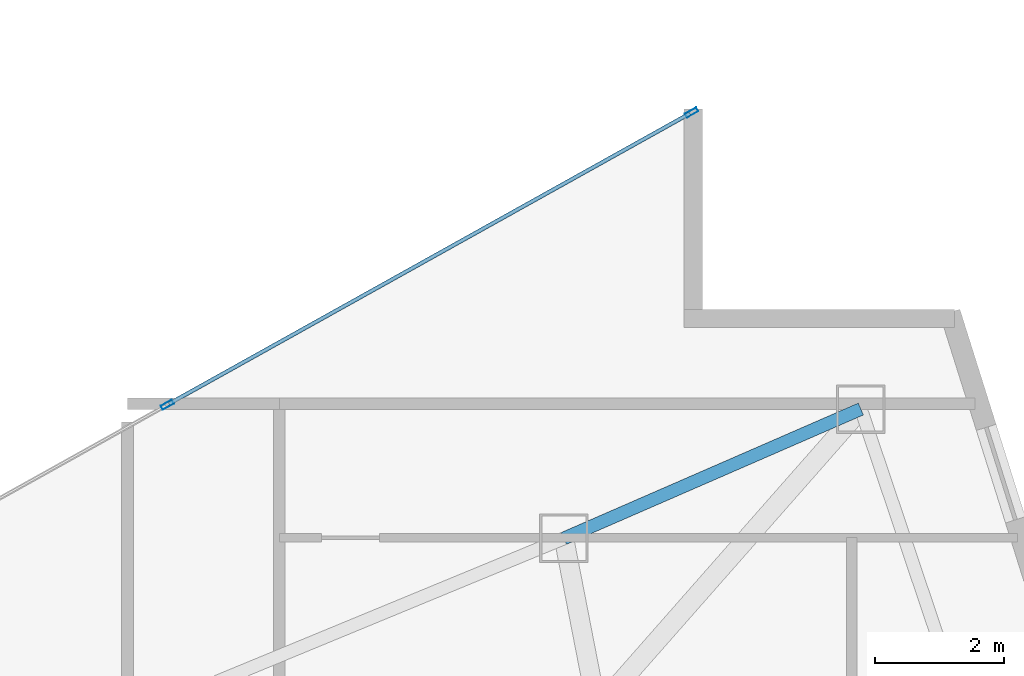
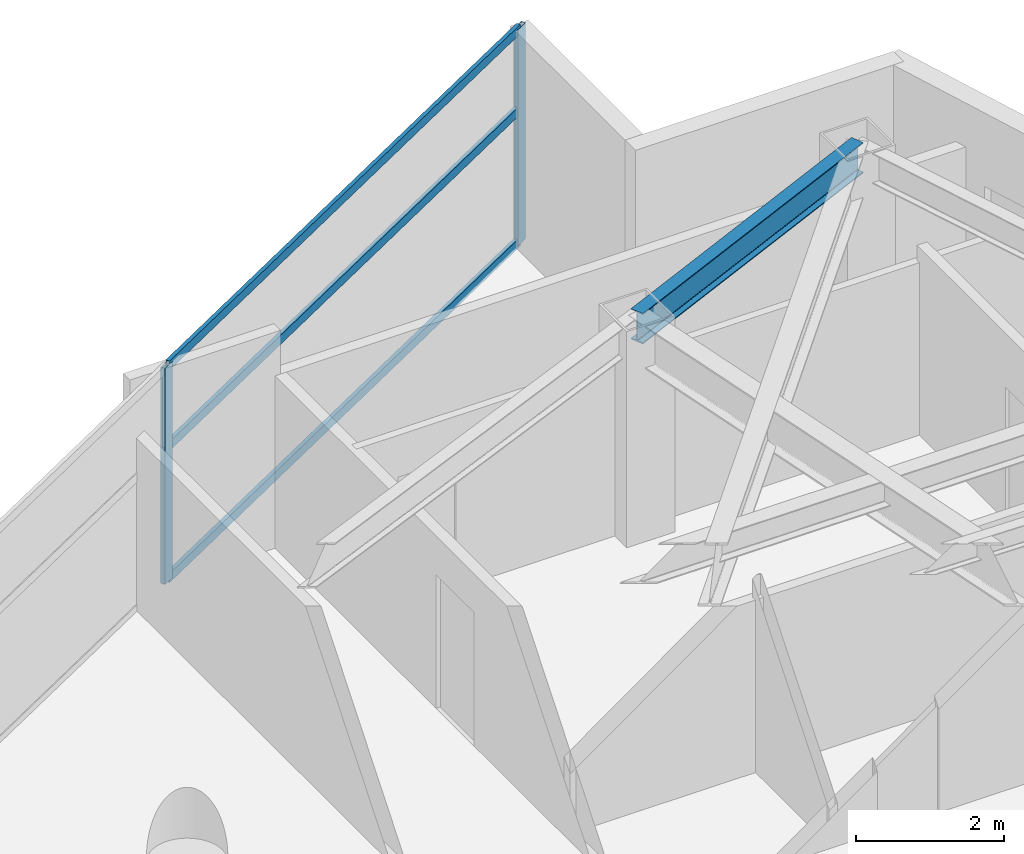
# One storey, part 20 of 28: 5 members, 1 beam, 1 element without a shape of its own.
"""IFC4 building model written with IfcOpenShell, lengths in metres."""

import ifcopenshell
import ifcopenshell.guid

model = None  # the IFC model being written
_history = None  # IfcOwnerHistory: only IFC2X3 demands one
_inside = {}  # id of a spatial element -> (the spatial element, [elements in it])
_under = {}  # id of a project, library or spatial element -> (it, [spatial elements below it])
_declared = {}  # id of a project -> (the project, [libraries it declares])
_typed = {}  # id of a type object -> (the type object, [elements of that type])
_made_of = {}  # id of a material, layer set ... -> (it, [elements and type objects made of it])


def new_model(schema):
    """Start an empty IFC model of exactly this schema.

    Asked for "IFC4X3", IfcOpenShell would pick the latest addendum, in which some entities
    have other attributes; the version numbers below select the first issue.
    IFC2X3 requires an IfcOwnerHistory on every rooted entity: one is made here for all.
    """
    global model, _history
    if schema == "IFC4X3":
        model = ifcopenshell.file(schema_version=(4, 3, 0, 0))
    else:
        model = ifcopenshell.file(schema=schema)
    _inside.clear()
    _under.clear()
    _declared.clear()
    _typed.clear()
    _made_of.clear()
    _history = None
    if model.schema == "IFC2X3":
        org = make("IfcOrganization", Name="unknown")
        user = make(
            "IfcPersonAndOrganization",
            ThePerson=make("IfcPerson", FamilyName="unknown"),
            TheOrganization=org,
        )
        app = make(
            "IfcApplication",
            ApplicationDeveloper=org,
            Version="unknown",
            ApplicationFullName="unknown",
            ApplicationIdentifier="unknown",
        )
        _history = make(
            "IfcOwnerHistory",
            OwningUser=user,
            OwningApplication=app,
            ChangeAction="ADDED",
            CreationDate=0,
        )
    return model


def make(cls, **values):
    """One entity of the class cls with the attributes given. An attribute that is None is left unset."""
    return model.create_entity(
        cls, **{name: value for name, value in values.items() if value is not None}
    )


def rooted(cls, **values):
    """An entity with a GlobalId (a new one), such as an element, a storey or a relation."""
    return make(cls, GlobalId=ifcopenshell.guid.new(), OwnerHistory=_history, **values)


def si_unit(unit_type, name, prefix=None):
    """IfcSIUnit, for example si_unit("LENGTHUNIT", "METRE", prefix="MILLI")."""
    return make("IfcSIUnit", UnitType=unit_type, Prefix=prefix, Name=name)


def assignment(units):
    """IfcUnitAssignment: the units of a project."""
    return None if units is None else make("IfcUnitAssignment", Units=units)


def point(xyz):
    """IfcCartesianPoint."""
    return None if xyz is None else make("IfcCartesianPoint", Coordinates=xyz)


def direction(xyz):
    """IfcDirection."""
    return None if xyz is None else make("IfcDirection", DirectionRatios=xyz)


def frame(location, z_axis=None, x_axis=None):
    """IfcAxis2Placement3D, a coordinate frame: its origin and axes. An axis left out is left unset."""
    return make(
        "IfcAxis2Placement3D",
        Location=point(location),
        Axis=direction(z_axis),
        RefDirection=direction(x_axis),
    )


def frame_2d(location, x_axis=None):
    """IfcAxis2Placement2D, a coordinate frame in the plane: its origin and x axis."""
    return make(
        "IfcAxis2Placement2D", Location=point(location), RefDirection=direction(x_axis)
    )


def origin():
    """The frame at (0, 0, 0) with its axes left unset."""
    return frame((0.0, 0.0, 0.0))


def origin_2d():
    """The frame at (0, 0) in the plane with its x axis left unset."""
    return frame_2d((0.0, 0.0))


def place(relative_to, where):
    """IfcLocalPlacement: puts the frame where relative to a parent placement (None: the world)."""
    return make(
        "IfcLocalPlacement", PlacementRelTo=relative_to, RelativePlacement=where
    )


def context(
    kind, dimensions, precision=None, world=None, true_north=None, identifier=None
):
    """IfcGeometricRepresentationContext, for example the 3D "Model" context."""
    return make(
        "IfcGeometricRepresentationContext",
        ContextIdentifier=identifier,
        ContextType=kind,
        CoordinateSpaceDimension=dimensions,
        Precision=precision,
        WorldCoordinateSystem=world,
        TrueNorth=true_north,
    )


def subcontext(parent, identifier, kind, view, scale=None):
    """IfcGeometricRepresentationSubContext, for example "Body" below "Model"."""
    return make(
        "IfcGeometricRepresentationSubContext",
        ContextIdentifier=identifier,
        ContextType=kind,
        ParentContext=parent,
        TargetScale=scale,
        TargetView=view,
    )


def project(units=None, contexts=None):
    """IfcProject with its units and contexts."""
    return rooted(
        "IfcProject",
        Name="project",
        RepresentationContexts=contexts,
        UnitsInContext=assignment(units),
    )


def spatial(cls, under=None, at=None, **own):
    """A site, building, storey or space (cls), placed at a placement, below another one or the project."""
    s = rooted(cls, ObjectPlacement=at, **own)
    if under is not None:
        _under.setdefault(under.id(), (under, []))[1].append(s)
    return s


def profile(cls, at=None, kind="AREA", **sizes):
    """A parametric profile (cls). Its sizes go by their IFC names, for example OverallWidth=200.0."""
    return make(cls, ProfileType=kind, Position=at, **sizes)


def hollow_rectangle(**sizes):
    """IfcRectangleHollowProfileDef."""
    return profile("IfcRectangleHollowProfileDef", **sizes)


def i_section(**sizes):
    """IfcIShapeProfileDef."""
    return profile("IfcIShapeProfileDef", **sizes)


def extrude(swept, where, along, depth):
    """IfcExtrudedAreaSolid: the profile swept, set in the frame where, extruded along a direction by depth."""
    return make(
        "IfcExtrudedAreaSolid",
        SweptArea=swept,
        Position=where,
        ExtrudedDirection=direction(along),
        Depth=depth,
    )


def shape(context_of_items, identifier, shape_type, items):
    """IfcShapeRepresentation: the items that make up one representation, for example the "Body"."""
    return make(
        "IfcShapeRepresentation",
        ContextOfItems=context_of_items,
        RepresentationIdentifier=identifier,
        RepresentationType=shape_type,
        Items=items,
    )


def material(Name=None, Category=None):
    """IfcMaterial."""
    return make("IfcMaterial", Name=Name, Category=Category)


def layer(
    of_material, thickness, ventilated=None, Name=None, Category=None, Priority=None
):
    """IfcMaterialLayer: one layer of a wall or slab, of a material (None: an air gap)."""
    return make(
        "IfcMaterialLayer",
        Material=of_material,
        LayerThickness=thickness,
        IsVentilated=ventilated,
        Name=Name,
        Category=Category,
        Priority=Priority,
    )


def layer_set(layers, Name=None):
    """IfcMaterialLayerSet."""
    return make("IfcMaterialLayerSet", MaterialLayers=layers, LayerSetName=Name)


def material_profile(
    of_material, cross_section, Name=None, Category=None, Priority=None
):
    """IfcMaterialProfile: a cross section and its material."""
    return make(
        "IfcMaterialProfile",
        Name=Name,
        Material=of_material,
        Profile=cross_section,
        Priority=Priority,
        Category=Category,
    )


def profile_set(profiles, Name=None, composite=None):
    """IfcMaterialProfileSet."""
    return make(
        "IfcMaterialProfileSet",
        Name=Name,
        MaterialProfiles=profiles,
        CompositeProfile=composite,
    )


def made_of(thing, what):
    """Note that an element or type object is made of a material, layer set ...; save() writes the relation."""
    if what is not None:
        _made_of.setdefault(what.id(), (what, []))[1].append(thing)
    return thing


def type_object(cls, material=None, **own):
    """A type object (cls), such as IfcWallType, which elements share."""
    return made_of(rooted(cls, **own), material)


def element(
    cls,
    number,
    at=None,
    inside=None,
    cuts=None,
    type_object=None,
    material=None,
    context=None,
    identifier="Body",
    shape_type=None,
    held_by="IfcProductDefinitionShape",
    body=None,
    shapes=None,
    **own,
):
    """One element of the class cls, such as IfcWall. Its Tag is "e" and its number.

    at: its placement. inside: the storey or other place that contains it. cuts: it is an
    opening in that element (IfcRelVoidsElement). A single representation is given by context,
    identifier, shape_type and body (its items); several are given by shapes. held_by: the class
    of the entity that holds the representations. save() writes the other relations.
    """
    e = rooted(cls, Tag="e%d" % number, ObjectPlacement=at, **own)
    if body is not None:
        shapes = [shape(context, identifier, shape_type, body)]
    if shapes is not None:
        e.Representation = make(held_by, Representations=shapes)
    if inside is not None:
        _inside.setdefault(inside.id(), (inside, []))[1].append(e)
    if cuts is not None:
        rooted(
            "IfcRelVoidsElement", RelatingBuildingElement=cuts, RelatedOpeningElement=e
        )
    if type_object is not None:
        _typed.setdefault(type_object.id(), (type_object, []))[1].append(e)
    return made_of(e, material)


def aggregate(whole, parts):
    """IfcRelAggregates: a whole, such as a stair, and the parts it consists of."""
    return rooted("IfcRelAggregates", RelatingObject=whole, RelatedObjects=parts)


def save(model, path):
    """Write the relations noted so far, then the file.

    IfcRelAggregates (storeys below a building ...), IfcRelContainedInSpatialStructure (elements
    in a storey), IfcRelDefinesByType, IfcRelAssociatesMaterial and IfcRelDeclares: one each for
    every whole, place, type object, material and project.
    """
    for whole, parts in _under.values():
        aggregate(whole, parts)
    for where, things in _inside.values():
        rooted(
            "IfcRelContainedInSpatialStructure",
            RelatedElements=things,
            RelatingStructure=where,
        )
    for kind, things in _typed.values():
        rooted("IfcRelDefinesByType", RelatedObjects=things, RelatingType=kind)
    for what, things in _made_of.values():
        rooted("IfcRelAssociatesMaterial", RelatedObjects=things, RelatingMaterial=what)
    for by, libraries in _declared.values():
        rooted("IfcRelDeclares", RelatingContext=by, RelatedDefinitions=libraries)
    model.write(path)


model = new_model("IFC4")

# Units and contexts
model_context = context("Model", 3, precision=1e-05, world=origin(), true_north=direction((0.0, 1.0)))
body_context = subcontext(model_context, "Body", "Model", "MODEL_VIEW")
ifc_project = project(units=[si_unit("LENGTHUNIT", "METRE"), si_unit("AREAUNIT", "SQUARE_METRE"), si_unit("VOLUMEUNIT", "CUBIC_METRE"), si_unit("PLANEANGLEUNIT", "RADIAN"), si_unit("MASSUNIT", "GRAM", prefix="KILO")], contexts=[model_context])

# Site, building, storey
site_placement = place(None, origin())
site = spatial("IfcSite", under=ifc_project, at=site_placement, CompositionType="ELEMENT")
building_placement = place(site_placement, origin())
building = spatial("IfcBuilding", under=site, at=building_placement, Name="Calvorn Quay Hotel", CompositionType="ELEMENT")
storey_placement = place(building_placement, frame((0.0, 0.0, 112.60009765625)))
storey = spatial("IfcBuildingStorey", under=building, at=storey_placement, Name="L27", CompositionType="ELEMENT", Elevation=112.60009765625)

# Beam
ifc_material_1 = material(Name="Steel Q355B", Category="steel")
ifc_material_profile_1 = material_profile(ifc_material_1, i_section(OverallWidth=0.199951171875, OverallDepth=0.5, WebThickness=0.010009765625, FlangeThickness=0.01611328125, FilletRadius=0.01611328125, at=origin_2d()), Name="HN500x200x10x16")
ifc_profile_set_1 = profile_set([ifc_material_profile_1], Name="Steel Q355B")
beam_type = type_object("IfcBeamType", Name="BM-SPANDREL-Z1", PredefinedType="SPANDREL", material=ifc_profile_set_1)
beam_placement = place(storey_placement, frame((48.591064453125, 33.39990234375, 3.289794921875), z_axis=(-0.916786146489, -0.399378469132, 0.0), x_axis=(0.399378469132, -0.916786146489, 0.0)))
element("IfcBeam", 1, at=beam_placement, inside=storey, type_object=beam_type, Name="Beam BSP-L27-E3", PredefinedType="SPANDREL", context=body_context, shape_type="SweptSolid", body=[
    extrude(i_section(OverallWidth=0.199951171875, OverallDepth=0.5, WebThickness=0.010009765625, FlangeThickness=0.01611328125, FilletRadius=0.01611328125, at=origin_2d()), origin(), (0.0, 0.0, 1.0), 5.0078125),
])

# Curtain wall, members
ifc_material_2 = material(Name="Pale Anodised Aluminium and Low-E Glass", Category="aluminium")
ifc_layer = layer(ifc_material_2, 0.219970703125)
ifc_layer_set = layer_set([ifc_layer], Name="CW-SYS-Z2")
curtain_wall_type = type_object("IfcCurtainWallType", Name="CW-SYS-Z2", PredefinedType="NOTDEFINED", material=ifc_layer_set)
curtain_wall_placement = place(storey_placement, origin())
curtain_wall = element("IfcCurtainWall", 2, at=curtain_wall_placement, inside=storey, type_object=curtain_wall_type, Name="Inner Court Curtain Wall L27-NE1", PredefinedType="NOTDEFINED")
ifc_material_3 = material(Name="Pale Anodised Aluminium 6063-T6", Category="aluminium")
ifc_material_profile_2 = material_profile(ifc_material_3, hollow_rectangle(XDim=0.070068359375, YDim=0.199951171875, WallThickness=0.00390625, at=origin_2d()), Name="ALU-M200x70x4")
ifc_profile_set_2 = profile_set([ifc_material_profile_2], Name="Pale Anodised Aluminium 6063-T6")
member_type_1 = type_object("IfcMemberType", Name="CW-SYS-Z2-MUL", PredefinedType="MULLION", material=ifc_profile_set_2)
member_1_placement = place(storey_placement, frame((45.973876953125, 37.9853515625, 0.0), z_axis=(0.0, 0.0, 1.0), x_axis=(0.486858256224, -0.873480989116, 0.0)))
member_1 = element("IfcMember", 3, at=member_1_placement, type_object=member_type_1, Name="CW-L27-NE1 mullion 1", PredefinedType="MULLION", context=body_context, shape_type="SweptSolid", body=[
    extrude(hollow_rectangle(XDim=0.070068359375, YDim=0.199951171875, WallThickness=0.00390625, at=origin_2d()), origin(), (0.0, 0.0, 1.0), 3.559814453125),
])
member_2_placement = place(storey_placement, frame((37.86669921875, 33.466552734375, 0.0), z_axis=(0.0, 0.0, 1.0), x_axis=(0.486858256224, -0.873480989116, 0.0)))
member_2 = element("IfcMember", 4, at=member_2_placement, type_object=member_type_1, Name="CW-L27-NE1 mullion 2", PredefinedType="MULLION", context=body_context, shape_type="SweptSolid", body=[
    extrude(hollow_rectangle(XDim=0.070068359375, YDim=0.199951171875, WallThickness=0.00390625, at=origin_2d()), origin(), (0.0, 0.0, 1.0), 3.559814453125),
])
ifc_material_4 = material(Name="Pale Anodised Aluminium 6063-T6", Category="aluminium")
ifc_material_profile_3 = material_profile(ifc_material_4, hollow_rectangle(XDim=0.06005859375, YDim=0.14990234375, WallThickness=0.00341796875, at=origin_2d()), Name="ALU-T150x60x3.5")
ifc_profile_set_3 = profile_set([ifc_material_profile_3], Name="Pale Anodised Aluminium 6063-T6")
member_type_2 = type_object("IfcMemberType", Name="CW-SYS-Z2-TRN", PredefinedType="USERDEFINED", material=ifc_profile_set_3)
member_3_placement = place(storey_placement, frame((45.947509765625, 37.970703125, 0.02978515625), z_axis=(-0.87348080454, -0.486858587375, 0.0), x_axis=(0.486858587375, -0.87348080454, 0.0)))
member_3 = element("IfcMember", 5, at=member_3_placement, type_object=member_type_2, Name="CW-L27-NE1 transom 1.1", ObjectType="TRANSOM", PredefinedType="USERDEFINED", context=body_context, shape_type="SweptSolid", body=[
    extrude(hollow_rectangle(XDim=0.06005859375, YDim=0.14990234375, WallThickness=0.00341796875, at=origin_2d()), origin(), (0.0, 0.0, 1.0), 9.221435546875),
])
member_4_placement = place(storey_placement, frame((45.947509765625, 37.970703125, 2.199951171875), z_axis=(-0.87348080454, -0.486858587375, 0.0), x_axis=(0.486858587375, -0.87348080454, 0.0)))
member_4 = element("IfcMember", 6, at=member_4_placement, type_object=member_type_2, Name="CW-L27-NE1 transom 1.2", ObjectType="TRANSOM", PredefinedType="USERDEFINED", context=body_context, shape_type="SweptSolid", body=[
    extrude(hollow_rectangle(XDim=0.06005859375, YDim=0.14990234375, WallThickness=0.00341796875, at=origin_2d()), origin(), (0.0, 0.0, 1.0), 9.221435546875),
])
member_5_placement = place(storey_placement, frame((45.947509765625, 37.970703125, 3.52978515625), z_axis=(-0.87348080454, -0.486858587375, 0.0), x_axis=(0.486858587375, -0.87348080454, 0.0)))
member_5 = element("IfcMember", 7, at=member_5_placement, type_object=member_type_2, Name="CW-L27-NE1 transom 1.3", ObjectType="TRANSOM", PredefinedType="USERDEFINED", context=body_context, shape_type="SweptSolid", body=[
    extrude(hollow_rectangle(XDim=0.06005859375, YDim=0.14990234375, WallThickness=0.00341796875, at=origin_2d()), origin(), (0.0, 0.0, 1.0), 9.221435546875),
])
aggregate(curtain_wall, [member_1, member_2, member_3, member_4, member_5])

save(model, "model.ifc")
